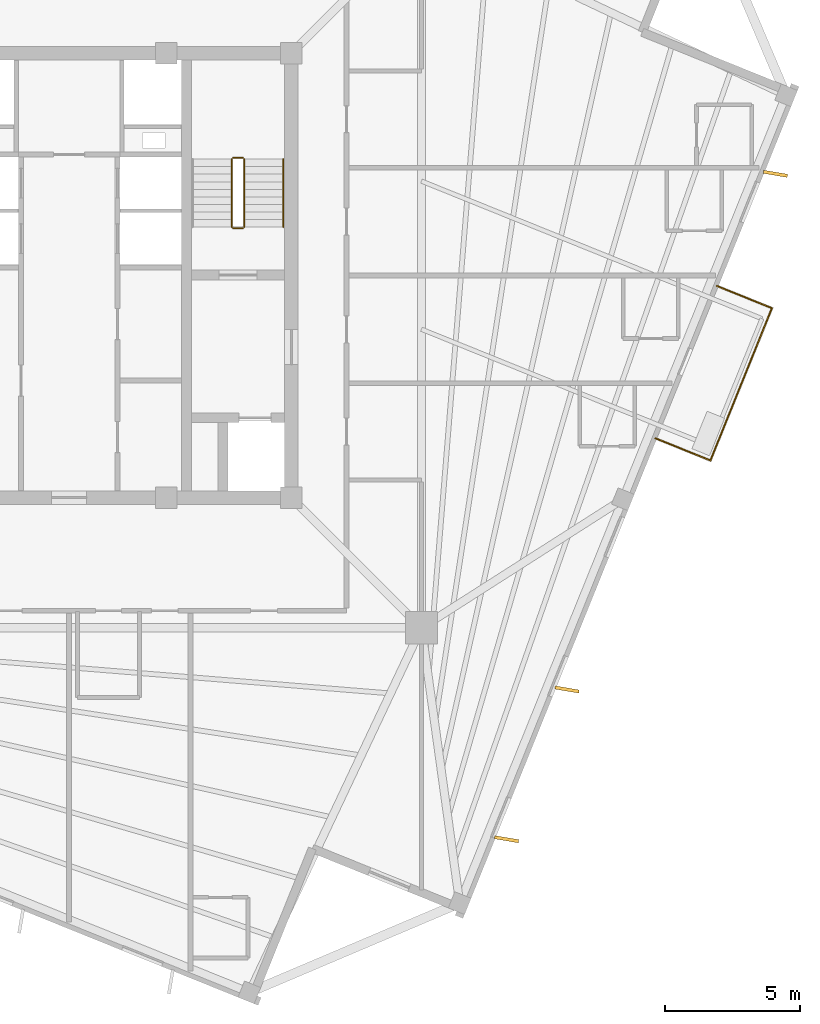
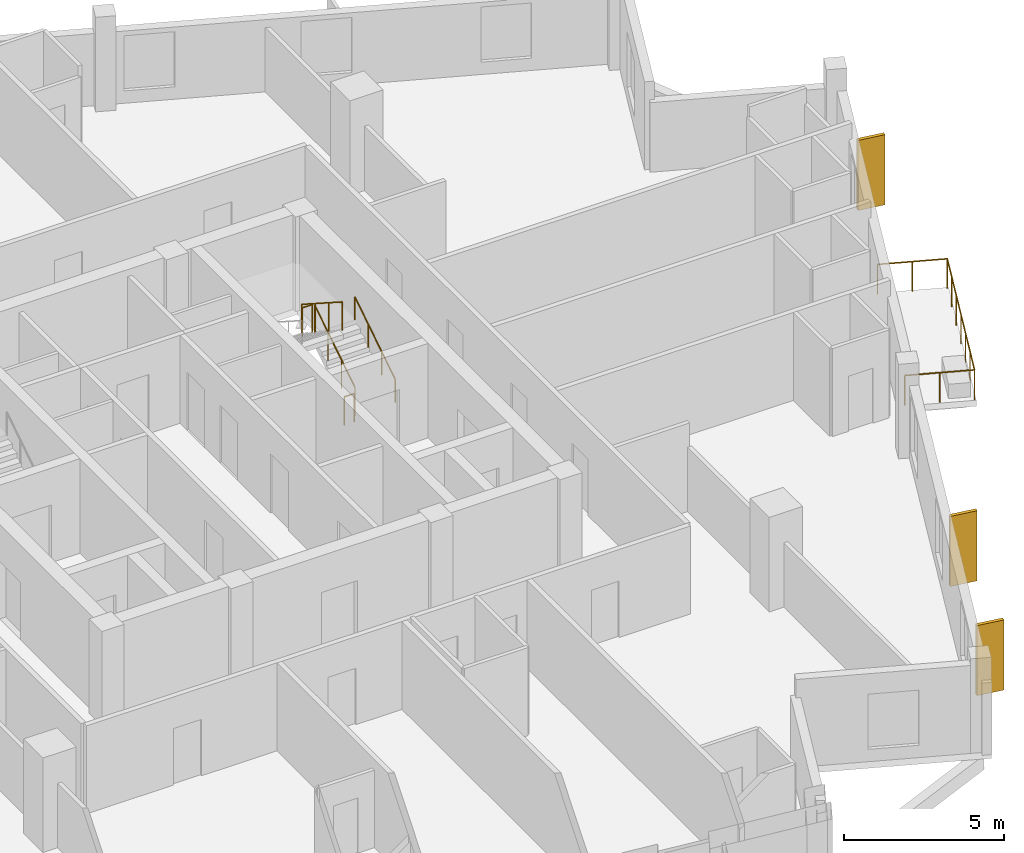
# One storey, part 8 of 9: 8 railings, 3 coverings.
"""IFC4 building model written with IfcOpenShell, lengths in metres."""

from ifc_helpers import new_model, si_unit, direction, frame, origin, origin_2d, place, context, subcontext, project, spatial, rectangle, circle, extrude, source, transform, mapped, material, layer, layer_set, type_object, element, save


model = new_model("IFC4")

# Units and contexts
model_context = context("Model", 3, precision=1e-05, world=origin(), true_north=direction((0.0, 1.0)))
body_context = subcontext(model_context, "Body", "Model", "MODEL_VIEW")
ifc_project = project(units=[si_unit("LENGTHUNIT", "METRE"), si_unit("AREAUNIT", "SQUARE_METRE"), si_unit("VOLUMEUNIT", "CUBIC_METRE"), si_unit("PLANEANGLEUNIT", "RADIAN"), si_unit("MASSUNIT", "GRAM", prefix="KILO"), si_unit("THERMODYNAMICTEMPERATUREUNIT", "KELVIN")], contexts=[model_context])

# Site, building, storey
site_placement = place(None, origin())
site = spatial("IfcSite", under=ifc_project, at=site_placement, CompositionType="ELEMENT")
building_placement = place(site_placement, origin())
building = spatial("IfcBuilding", under=site, at=building_placement, Name="Kosmvard Interchange Tower", CompositionType="ELEMENT")
storey_placement = place(building_placement, frame((0.0, 0.0, 279.60009765625)))
storey = spatial("IfcBuildingStorey", under=building, at=storey_placement, Name="L68", CompositionType="ELEMENT", Elevation=279.60009765625)

# Railings
ifc_material_1 = material(Name="Steel S355", Category="steel")
railing_type_1 = type_object("IfcRailingType", Name="Observation & Balcony Glass-Infill Balustrade 1150", PredefinedType="BALUSTRADE", material=ifc_material_1)
shared_shape_1 = source(origin(), body_context, "Body", "SweptSolid", [
    extrude(circle(Radius=0.02392578125, at=origin_2d()), frame((0.0, 0.0, 1.1259765625), z_axis=(-0.927208487558, 0.374545618852, 0.0), x_axis=(-0.374545618852, -0.927208487558, 0.0)), (0.0, 0.0, 1.0), 2.199951171875),
    extrude(circle(Radius=0.02099609375, at=origin_2d()), origin(), (0.0, 0.0, 1.0), 1.101806640625),
    extrude(circle(Radius=0.02099609375, at=origin_2d()), frame((-1.02001953125, 0.412109375, 0.0)), (0.0, 0.0, 1.0), 1.101806640625),
    extrude(circle(Radius=0.02099609375, at=origin_2d()), frame((-2.039794921875, 0.823974609375, 0.0)), (0.0, 0.0, 1.0), 1.101806640625),
])
railing_1_placement = place(storey_placement, frame((26.095458984375, -1.2138671875, 0.0)))
element("IfcRailing", 1, at=railing_1_placement, inside=storey, type_object=railing_type_1, Name="L68 Outdoor Terrace Guard BAL-L68-SW-C", PredefinedType="BALUSTRADE", context=body_context, shape_type="MappedRepresentation", body=[
    mapped(shared_shape_1, transform((0.0, 0.0, 0.0), scale=1.0)),
])
shared_shape_2 = source(origin(), body_context, "Body", "SweptSolid", [
    extrude(circle(Radius=0.02392578125, at=origin_2d()), frame((0.0, 0.0, 1.1259765625), z_axis=(0.927208487558, -0.374545618852, 0.0), x_axis=(0.374545618852, 0.927208487558, 0.0)), (0.0, 0.0, 1.0), 2.199951171875),
    extrude(circle(Radius=0.02099609375, at=origin_2d()), origin(), (0.0, 0.0, 1.0), 1.101806640625),
    extrude(circle(Radius=0.02099609375, at=origin_2d()), frame((1.02001953125, -0.412109375, 0.0)), (0.0, 0.0, 1.0), 1.101806640625),
    extrude(circle(Radius=0.02099609375, at=origin_2d()), frame((2.039794921875, -0.823974609375, 0.0)), (0.0, 0.0, 1.0), 1.101806640625),
])
railing_2_placement = place(storey_placement, frame((21.7705078125, -6.045654296875, 0.0)))
element("IfcRailing", 2, at=railing_2_placement, inside=storey, type_object=railing_type_1, Name="L68 Outdoor Terrace Guard BAL-L68-SW-A", PredefinedType="BALUSTRADE", context=body_context, shape_type="MappedRepresentation", body=[
    mapped(shared_shape_2, transform((0.0, 0.0, 0.0), scale=1.0)),
])

# Coverings
ifc_material_2 = material(Name="Architectural anodised aluminium", Category="aluminium")
ifc_layer = layer(ifc_material_2, 0.1201171875, Name="Architectural anodised aluminium")
ifc_layer_set = layer_set([ifc_layer], Name="Architectural anodised aluminium")
covering_type = type_object("IfcCoveringType", Name="Rotating Vertical Sun-Breaker Fin 900x120 Aluminium", PredefinedType="CLADDING", material=ifc_layer_set)
shared_shape_3 = source(origin(), body_context, "Body", "SweptSolid", [
    extrude(rectangle(XDim=0.89990234375, YDim=0.1201171875, at=origin_2d()), origin(), (0.0, 0.0, 1.0), 2.669921875),
])
for number, where, z_axis, x_axis, name in (
    (3, (16.2412109375, -20.932373046875, 0.0400390625), (0.0, 0.0, 1.0), (0.985966915416, -0.166940832948, 0.0), "L68 Rotating Vertical Sun-Breaker Fin 01"),
    (4, (18.4873046875, -15.373046875, 0.0400390625), (0.0, 0.0, 1.0), (0.985966915416, -0.166940832948, 0.0), "L68 Rotating Vertical Sun-Breaker Fin 02"),
    (5, (26.223876953125, 3.775390625, 0.0400390625), (0.0, 0.0, 1.0), (0.985966915416, -0.166940832948, 0.0), "L68 Rotating Vertical Sun-Breaker Fin 03"),
):
    element("IfcCovering", number, at=place(storey_placement, frame(where, z_axis=z_axis, x_axis=x_axis)), inside=storey, type_object=covering_type, Name=name, PredefinedType="CLADDING", context=body_context, shape_type="MappedRepresentation", body=[
        mapped(shared_shape_3, transform((0.0, 0.0, 0.0), scale=1.0)),
    ])

# Railings
shared_shape_4 = source(origin(), body_context, "Body", "SweptSolid", [
    extrude(circle(Radius=0.02392578125, at=origin_2d()), frame((0.0, 0.0, 1.1259765625), z_axis=(0.374617894384, 0.927179288599, 0.0), x_axis=(-0.927179288599, 0.374617894384, 0.0)), (0.0, 0.0, 1.0), 6.099853515625),
    extrude(circle(Radius=0.02099609375, at=origin_2d()), origin(), (0.0, 0.0, 1.0), 1.101806640625),
    extrude(circle(Radius=0.02099609375, at=origin_2d()), frame((0.380859375, 0.942626953125, 0.0)), (0.0, 0.0, 1.0), 1.101806640625),
    extrude(circle(Radius=0.02099609375, at=origin_2d()), frame((0.76171875, 1.88525390625, 0.0)), (0.0, 0.0, 1.0), 1.101806640625),
    extrude(circle(Radius=0.02099609375, at=origin_2d()), frame((1.142578125, 2.827880859375, 0.0)), (0.0, 0.0, 1.0), 1.101806640625),
    extrude(circle(Radius=0.02099609375, at=origin_2d()), frame((1.5234375, 3.7705078125, 0.0)), (0.0, 0.0, 1.0), 1.101806640625),
    extrude(circle(Radius=0.02099609375, at=origin_2d()), frame((1.904296875, 4.713134765625, 0.0)), (0.0, 0.0, 1.0), 1.101806640625),
    extrude(circle(Radius=0.02099609375, at=origin_2d()), frame((2.28515625, 5.65576171875, 0.0)), (0.0, 0.0, 1.0), 1.101806640625),
])
railing_3_placement = place(storey_placement, frame((23.810302734375, -6.86962890625, 0.0)))
element("IfcRailing", 6, at=railing_3_placement, inside=storey, type_object=railing_type_1, Name="L68 Outdoor Terrace Guard BAL-L68-SW-B", PredefinedType="BALUSTRADE", context=body_context, shape_type="MappedRepresentation", body=[
    mapped(shared_shape_4, transform((0.0, 0.0, 0.0), scale=1.0)),
])
railing_type_2 = type_object("IfcRailingType", Name="Stair & Terrace Safety Guardrail 1100 Steel", PredefinedType="GUARDRAIL", material=ifc_material_1)
shared_shape_5 = source(origin(), body_context, "Body", "SweptSolid", [
    extrude(circle(Radius=0.02392578125, at=origin_2d()), frame((0.0, 0.0, 1.076171875), z_axis=(-1.0, 0.0, 0.0), x_axis=(0.0, -1.0, 0.0)), (0.0, 0.0, 1.0), 0.35986328125),
    extrude(circle(Radius=0.02099609375, at=origin_2d()), origin(), (0.0, 0.0, 1.0), 1.052001953125),
    extrude(circle(Radius=0.02099609375, at=origin_2d()), frame((-0.35986328125, 0.0, 0.0)), (0.0, 0.0, 1.0), 1.052001953125),
])
for number, where, name in (
    (7, (6.449951171875, 4.3701171875, 1.7998046875), "L68 ST-2 stair guard 2"),
    (8, (6.449951171875, 1.75, 0.0), "L68 ST-2 stair guard 4"),
):
    element("IfcRailing", number, at=place(storey_placement, frame(where)), inside=storey, type_object=railing_type_2, Name=name, PredefinedType="GUARDRAIL", context=body_context, shape_type="MappedRepresentation", body=[
        mapped(shared_shape_5, transform((0.0, 0.0, 0.0), scale=1.0)),
    ])
shared_shape_6 = source(origin(), body_context, "Body", "SweptSolid", [
    extrude(circle(Radius=0.02392578125, at=origin_2d()), frame((0.0, 0.0, 1.076171875), z_axis=(0.0, -0.841199657755, 0.540724639528), x_axis=(1.0, 0.0, 0.0)), (0.0, 0.0, 1.0), 2.995849609375),
    extrude(circle(Radius=0.02099609375, at=origin_2d()), origin(), (0.0, 0.0, 1.0), 1.052001953125),
    extrude(circle(Radius=0.02099609375, at=origin_2d()), frame((0.0, -0.840087890625, 0.5400390625)), (0.0, 0.0, 1.0), 1.052001953125),
    extrude(circle(Radius=0.02099609375, at=origin_2d()), frame((0.0, -1.679931640625, 1.079833984375)), (0.0, 0.0, 1.0), 1.052001953125),
    extrude(circle(Radius=0.02099609375, at=origin_2d()), frame((0.0, -2.52001953125, 1.619873046875)), (0.0, 0.0, 1.0), 1.052001953125),
])
railing_4_placement = place(storey_placement, frame((6.0400390625, 4.320068359375, 1.97998046875)))
element("IfcRailing", 9, at=railing_4_placement, inside=storey, type_object=railing_type_2, Name="L68 ST-2 stair guard 3", PredefinedType="GUARDRAIL", context=body_context, shape_type="MappedRepresentation", body=[
    mapped(shared_shape_6, transform((0.0, 0.0, 0.0), scale=1.0)),
])
shared_shape_7 = source(origin(), body_context, "Body", "SweptSolid", [
    extrude(circle(Radius=0.02392578125, at=origin_2d()), frame((0.0, 0.0, 1.076171875), z_axis=(0.0, 0.841199657755, 0.540724639528), x_axis=(-1.0, 0.0, 0.0)), (0.0, 0.0, 1.0), 2.995849609375),
    extrude(circle(Radius=0.02099609375, at=origin_2d()), origin(), (0.0, 0.0, 1.0), 1.052001953125),
    extrude(circle(Radius=0.02099609375, at=origin_2d()), frame((0.0, 0.840087890625, 0.5400390625)), (0.0, 0.0, 1.0), 1.052001953125),
    extrude(circle(Radius=0.02099609375, at=origin_2d()), frame((0.0, 1.679931640625, 1.079833984375)), (0.0, 0.0, 1.0), 1.052001953125),
    extrude(circle(Radius=0.02099609375, at=origin_2d()), frame((0.0, 2.52001953125, 1.619873046875)), (0.0, 0.0, 1.0), 1.052001953125),
])
railing_5_placement = place(storey_placement, frame((6.5, 1.800048828125, 0.179931640625)))
element("IfcRailing", 10, at=railing_5_placement, inside=storey, type_object=railing_type_2, Name="L68 ST-2 stair guard 1", PredefinedType="GUARDRAIL", context=body_context, shape_type="MappedRepresentation", body=[
    mapped(shared_shape_7, transform((0.0, 0.0, 0.0), scale=1.0)),
])
railing_type_3 = type_object("IfcRailingType", Name="Wall-Mounted Stair Handrail 900 Steel", PredefinedType="HANDRAIL", material=ifc_material_1)
shared_shape_8 = source(origin(), body_context, "Body", "SweptSolid", [
    extrude(circle(Radius=0.02392578125, at=origin_2d()), frame((0.0, 0.0, 0.8759765625), z_axis=(0.0, 0.841199657755, 0.540724639528), x_axis=(-1.0, 0.0, 0.0)), (0.0, 0.0, 1.0), 2.995849609375),
    extrude(circle(Radius=0.02099609375, at=origin_2d()), origin(), (0.0, 0.0, 1.0), 0.851806640625),
    extrude(circle(Radius=0.02099609375, at=origin_2d()), frame((0.0, 0.840087890625, 0.5400390625)), (0.0, 0.0, 1.0), 0.851806640625),
    extrude(circle(Radius=0.02099609375, at=origin_2d()), frame((0.0, 1.679931640625, 1.079833984375)), (0.0, 0.0, 1.0), 0.851806640625),
    extrude(circle(Radius=0.02099609375, at=origin_2d()), frame((0.0, 2.52001953125, 1.619873046875)), (0.0, 0.0, 1.0), 0.851806640625),
])
railing_6_placement = place(storey_placement, frame((7.949951171875, 1.800048828125, 0.179931640625)))
element("IfcRailing", 11, at=railing_6_placement, inside=storey, type_object=railing_type_3, Name="L68 ST-2 stair handrail 1", PredefinedType="HANDRAIL", context=body_context, shape_type="MappedRepresentation", body=[
    mapped(shared_shape_8, transform((0.0, 0.0, 0.0), scale=1.0)),
])

save(model, "model.ifc")
